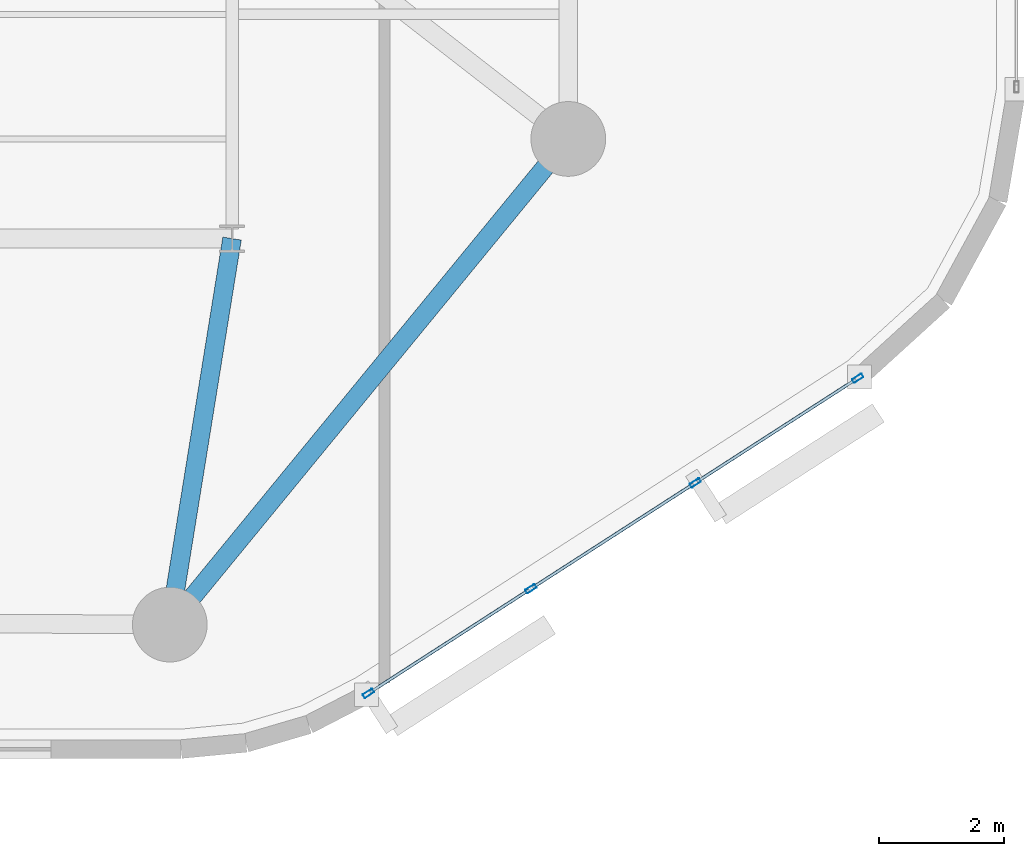
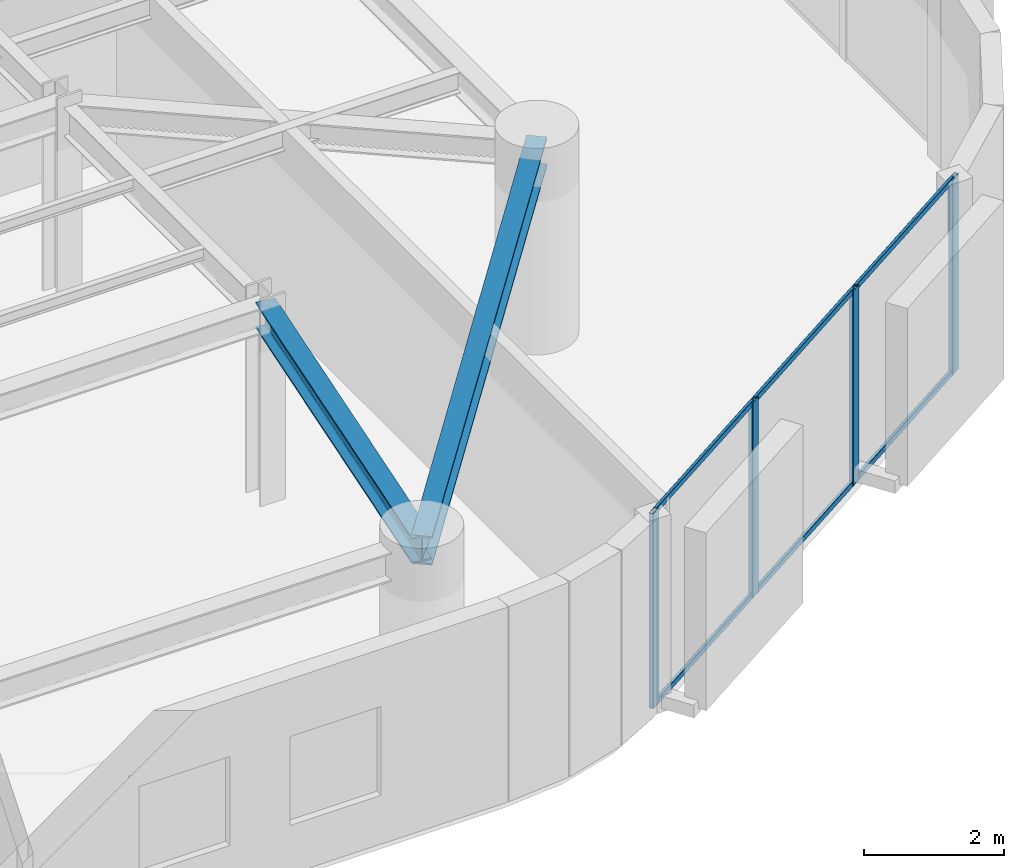
# One storey, part 2 of 14: 10 members, 2 beams, 1 element without a shape of its own.
"""IFC4 building model written with IfcOpenShell, lengths in metres."""

from ifc_helpers import new_model, si_unit, direction, frame, origin, origin_2d, place, context, subcontext, project, spatial, hollow_rectangle, i_section, extrude, material, layer, layer_set, material_profile, profile_set, type_object, element, aggregate, save


model = new_model("IFC4")

# Units and contexts
model_context = context("Model", 3, precision=1e-05, world=origin(), true_north=direction((0.0, 1.0)))
body_context = subcontext(model_context, "Body", "Model", "MODEL_VIEW")
ifc_project = project(units=[si_unit("LENGTHUNIT", "METRE"), si_unit("AREAUNIT", "SQUARE_METRE"), si_unit("VOLUMEUNIT", "CUBIC_METRE"), si_unit("PLANEANGLEUNIT", "RADIAN"), si_unit("MASSUNIT", "GRAM", prefix="KILO")], contexts=[model_context])

# Site, building, storey
site_placement = place(None, origin())
site = spatial("IfcSite", under=ifc_project, at=site_placement, CompositionType="ELEMENT")
building_placement = place(site_placement, origin())
building = spatial("IfcBuilding", under=site, at=building_placement, Name="An Khanh Terracotta Commons", CompositionType="ELEMENT")
storey_placement = place(building_placement, frame((0.0, 0.0, 154.60009765625)))
storey = spatial("IfcBuildingStorey", under=building, at=storey_placement, Name="L40", CompositionType="ELEMENT", Elevation=154.60009765625)

# Beams
ifc_material_1 = material(Name="Steel S355J2", Category="steel")
ifc_material_profile_1 = material_profile(ifc_material_1, i_section(OverallWidth=0.300048828125, OverallDepth=0.449951171875, WebThickness=0.013916015625, FlangeThickness=0.02587890625, FilletRadius=0.027099609375, at=origin_2d()), Name="HEB450")
ifc_profile_set_1 = profile_set([ifc_material_profile_1], Name="Steel S355J2")
beam_type_1 = type_object("IfcBeamType", Name="BM-HEB450", PredefinedType="BEAM", material=ifc_profile_set_1)
beam_1_placement = place(storey_placement, frame((49.39990234375, 8.199951171875, 3.1748046875), z_axis=(0.159233661074, 0.987240923575, 0.0), x_axis=(-0.987240923575, 0.159233661074, 0.0)))
element("IfcBeam", 1, at=beam_1_placement, inside=storey, type_object=beam_type_1, Name="L40 Mega-Column Tie Girder 2", PredefinedType="BEAM", context=body_context, shape_type="SweptSolid", body=[
    extrude(i_section(OverallWidth=0.300048828125, OverallDepth=0.449951171875, WebThickness=0.013916015625, FlangeThickness=0.02587890625, FilletRadius=0.027099609375, at=origin_2d()), origin(), (0.0, 0.0, 1.0), 6.280029296875),
])
ifc_material_profile_2 = material_profile(ifc_material_1, i_section(OverallWidth=0.300048828125, OverallDepth=0.5, WebThickness=0.014404296875, FlangeThickness=0.028076171875, FilletRadius=0.027099609375, at=origin_2d()), Name="HEB500")
ifc_profile_set_2 = profile_set([ifc_material_profile_2], Name="Steel S355J2")
beam_type_2 = type_object("IfcBeamType", Name="BM-HEB500", PredefinedType="BEAM", material=ifc_profile_set_2)
beam_2_placement = place(storey_placement, frame((49.39990234375, 8.199951171875, 3.14990234375), z_axis=(0.634322915223, 0.7730681983, 0.0), x_axis=(-0.7730681983, 0.634322915223, 0.0)))
element("IfcBeam", 2, at=beam_2_placement, inside=storey, type_object=beam_type_2, Name="L40 Perimeter Ring Spandrel 2", PredefinedType="BEAM", context=body_context, shape_type="SweptSolid", body=[
    extrude(i_section(OverallWidth=0.300048828125, OverallDepth=0.5, WebThickness=0.014404296875, FlangeThickness=0.028076171875, FilletRadius=0.027099609375, at=origin_2d()), origin(), (0.0, 0.0, 1.0), 10.08984375),
])

# Curtain wall, members
ifc_material_2 = material(Name="Anodised Aluminium 6063-T6", Category="aluminium")
ifc_layer = layer(ifc_material_2, 0.2099609375, Name="Anodised Aluminium 6063-T6")
ifc_layer_set = layer_set([ifc_layer], Name="Anodised Aluminium 6063-T6")
curtain_wall_type = type_object("IfcCurtainWallType", Name="CW-SYS-03", PredefinedType="USERDEFINED", material=ifc_layer_set)
curtain_wall_placement = place(storey_placement, origin())
curtain_wall = element("IfcCurtainWall", 3, at=curtain_wall_placement, inside=storey, type_object=curtain_wall_type, Name="L40 CW-03 Unitised Curtain Wall CW-L40-08", ObjectType="UNITISED CURTAIN WALL", PredefinedType="USERDEFINED")
ifc_material_profile_3 = material_profile(ifc_material_2, hollow_rectangle(XDim=0.070068359375, YDim=0.179931640625, WallThickness=0.00390625, InnerFilletRadius=0.00390625, OuterFilletRadius=0.008056640625, at=origin_2d()), Name="RHS180x70x4")
ifc_profile_set_3 = profile_set([ifc_material_profile_3], Name="Anodised Aluminium 6063-T6")
member_type_1 = type_object("IfcMemberType", Name="CWM-RHS180x70x4", PredefinedType="MULLION", material=ifc_profile_set_3)
member_1_placement = place(storey_placement, frame((52.58935546875, 7.094970703125, 0.0), z_axis=(0.0, 0.0, 1.0), x_axis=(-0.541497931062, 0.840702081986, 0.0)))
member_1 = element("IfcMember", 4, at=member_1_placement, type_object=member_type_1, Name="CW-03 mullion 1", PredefinedType="MULLION", context=body_context, shape_type="SweptSolid", body=[
    extrude(hollow_rectangle(XDim=0.070068359375, YDim=0.179931640625, WallThickness=0.00390625, InnerFilletRadius=0.00390625, OuterFilletRadius=0.008056640625, at=origin_2d()), origin(), (0.0, 0.0, 1.0), 3.39990234375),
])
member_2_placement = place(storey_placement, frame((55.19921875, 8.77587890625, 0.0), z_axis=(0.0, 0.0, 1.0), x_axis=(-0.541497931062, 0.840702081986, 0.0)))
member_2 = element("IfcMember", 5, at=member_2_placement, type_object=member_type_1, Name="CW-03 mullion 2", PredefinedType="MULLION", context=body_context, shape_type="SweptSolid", body=[
    extrude(hollow_rectangle(XDim=0.070068359375, YDim=0.179931640625, WallThickness=0.00390625, InnerFilletRadius=0.00390625, OuterFilletRadius=0.008056640625, at=origin_2d()), origin(), (0.0, 0.0, 1.0), 3.39990234375),
])
member_3_placement = place(storey_placement, frame((57.838623046875, 10.47607421875, 0.0), z_axis=(0.0, 0.0, 1.0), x_axis=(-0.541497931062, 0.840702081986, 0.0)))
member_3 = element("IfcMember", 6, at=member_3_placement, type_object=member_type_1, Name="CW-03 mullion 3", PredefinedType="MULLION", context=body_context, shape_type="SweptSolid", body=[
    extrude(hollow_rectangle(XDim=0.070068359375, YDim=0.179931640625, WallThickness=0.00390625, InnerFilletRadius=0.00390625, OuterFilletRadius=0.008056640625, at=origin_2d()), origin(), (0.0, 0.0, 1.0), 3.39990234375),
])
member_4_placement = place(storey_placement, frame((60.448486328125, 12.156982421875, 0.0), z_axis=(0.0, 0.0, 1.0), x_axis=(-0.541497931062, 0.840702081986, 0.0)))
member_4 = element("IfcMember", 7, at=member_4_placement, type_object=member_type_1, Name="CW-03 mullion 4", PredefinedType="MULLION", context=body_context, shape_type="SweptSolid", body=[
    extrude(hollow_rectangle(XDim=0.070068359375, YDim=0.179931640625, WallThickness=0.00390625, InnerFilletRadius=0.00390625, OuterFilletRadius=0.008056640625, at=origin_2d()), origin(), (0.0, 0.0, 1.0), 3.39990234375),
])
ifc_material_profile_4 = material_profile(ifc_material_2, hollow_rectangle(XDim=0.050048828125, YDim=0.10009765625, WallThickness=0.003173828125, InnerFilletRadius=0.003173828125, OuterFilletRadius=0.00634765625, at=origin_2d()), Name="RHS100x50x3.2")
ifc_profile_set_4 = profile_set([ifc_material_profile_4], Name="Anodised Aluminium 6063-T6")
member_type_2 = type_object("IfcMemberType", Name="CWT-RHS100x50x3.2", PredefinedType="USERDEFINED", material=ifc_profile_set_4)
member_5_placement = place(storey_placement, frame((52.618896484375, 7.114013671875, 0.02490234375), z_axis=(0.840710223453, 0.541485290826, 0.0), x_axis=(-0.541485290826, 0.840710223453, 0.0)))
member_5 = element("IfcMember", 8, at=member_5_placement, type_object=member_type_2, Name="CW-03 transom 1.1", ObjectType="TRANSOM", PredefinedType="USERDEFINED", context=body_context, shape_type="SweptSolid", body=[
    extrude(hollow_rectangle(XDim=0.050048828125, YDim=0.10009765625, WallThickness=0.003173828125, InnerFilletRadius=0.003173828125, OuterFilletRadius=0.00634765625, at=origin_2d()), origin(), (0.0, 0.0, 1.0), 3.034423828125),
])
member_6_placement = place(storey_placement, frame((52.618896484375, 7.114013671875, 3.375), z_axis=(0.840710223453, 0.541485290826, 0.0), x_axis=(-0.541485290826, 0.840710223453, 0.0)))
member_6 = element("IfcMember", 9, at=member_6_placement, type_object=member_type_2, Name="CW-03 transom 1.2", ObjectType="TRANSOM", PredefinedType="USERDEFINED", context=body_context, shape_type="SweptSolid", body=[
    extrude(hollow_rectangle(XDim=0.050048828125, YDim=0.10009765625, WallThickness=0.003173828125, InnerFilletRadius=0.003173828125, OuterFilletRadius=0.00634765625, at=origin_2d()), origin(), (0.0, 0.0, 1.0), 3.034423828125),
])
member_7_placement = place(storey_placement, frame((55.228759765625, 8.794921875, 0.02490234375), z_axis=(0.840707825526, 0.54148901383, 0.0), x_axis=(-0.54148901383, 0.840707825526, 0.0)))
member_7 = element("IfcMember", 10, at=member_7_placement, type_object=member_type_2, Name="CW-03 transom 2.1", ObjectType="TRANSOM", PredefinedType="USERDEFINED", context=body_context, shape_type="SweptSolid", body=[
    extrude(hollow_rectangle(XDim=0.050048828125, YDim=0.10009765625, WallThickness=0.003173828125, InnerFilletRadius=0.003173828125, OuterFilletRadius=0.00634765625, at=origin_2d()), origin(), (0.0, 0.0, 1.0), 3.069580078125),
])
member_8_placement = place(storey_placement, frame((55.228759765625, 8.794921875, 3.375), z_axis=(0.840707825526, 0.54148901383, 0.0), x_axis=(-0.54148901383, 0.840707825526, 0.0)))
member_8 = element("IfcMember", 11, at=member_8_placement, type_object=member_type_2, Name="CW-03 transom 2.2", ObjectType="TRANSOM", PredefinedType="USERDEFINED", context=body_context, shape_type="SweptSolid", body=[
    extrude(hollow_rectangle(XDim=0.050048828125, YDim=0.10009765625, WallThickness=0.003173828125, InnerFilletRadius=0.003173828125, OuterFilletRadius=0.00634765625, at=origin_2d()), origin(), (0.0, 0.0, 1.0), 3.069580078125),
])
member_9_placement = place(storey_placement, frame((57.8681640625, 10.494873046875, 0.02490234375), z_axis=(0.840673595852, 0.541542154626, 0.0), x_axis=(-0.541542154626, 0.840673595852, 0.0)))
member_9 = element("IfcMember", 12, at=member_9_placement, type_object=member_type_2, Name="CW-03 transom 3.1", ObjectType="TRANSOM", PredefinedType="USERDEFINED", context=body_context, shape_type="SweptSolid", body=[
    extrude(hollow_rectangle(XDim=0.050048828125, YDim=0.10009765625, WallThickness=0.003173828125, InnerFilletRadius=0.003173828125, OuterFilletRadius=0.00634765625, at=origin_2d()), origin(), (0.0, 0.0, 1.0), 3.034423828125),
])
member_10_placement = place(storey_placement, frame((57.8681640625, 10.494873046875, 3.375), z_axis=(0.840673595852, 0.541542154626, 0.0), x_axis=(-0.541542154626, 0.840673595852, 0.0)))
member_10 = element("IfcMember", 13, at=member_10_placement, type_object=member_type_2, Name="CW-03 transom 3.2", ObjectType="TRANSOM", PredefinedType="USERDEFINED", context=body_context, shape_type="SweptSolid", body=[
    extrude(hollow_rectangle(XDim=0.050048828125, YDim=0.10009765625, WallThickness=0.003173828125, InnerFilletRadius=0.003173828125, OuterFilletRadius=0.00634765625, at=origin_2d()), origin(), (0.0, 0.0, 1.0), 3.034423828125),
])
aggregate(curtain_wall, [member_1, member_2, member_3, member_4, member_5, member_6, member_7, member_8, member_9, member_10])

save(model, "model.ifc")
